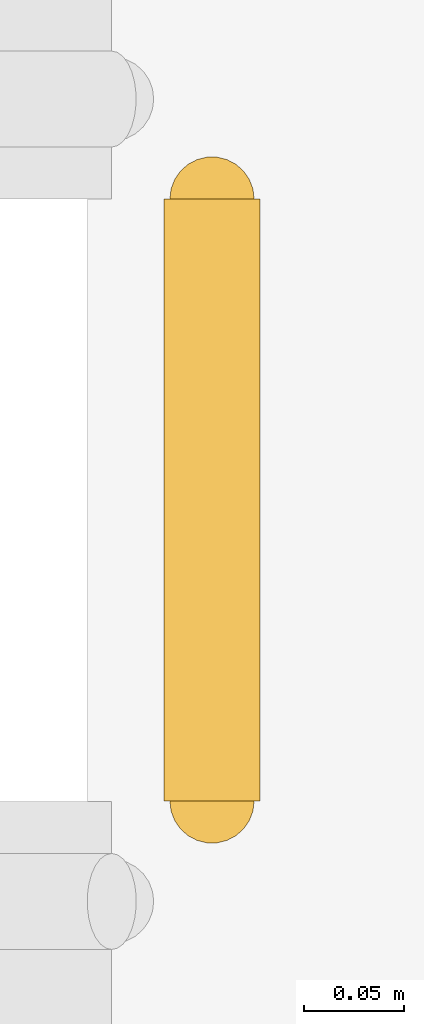
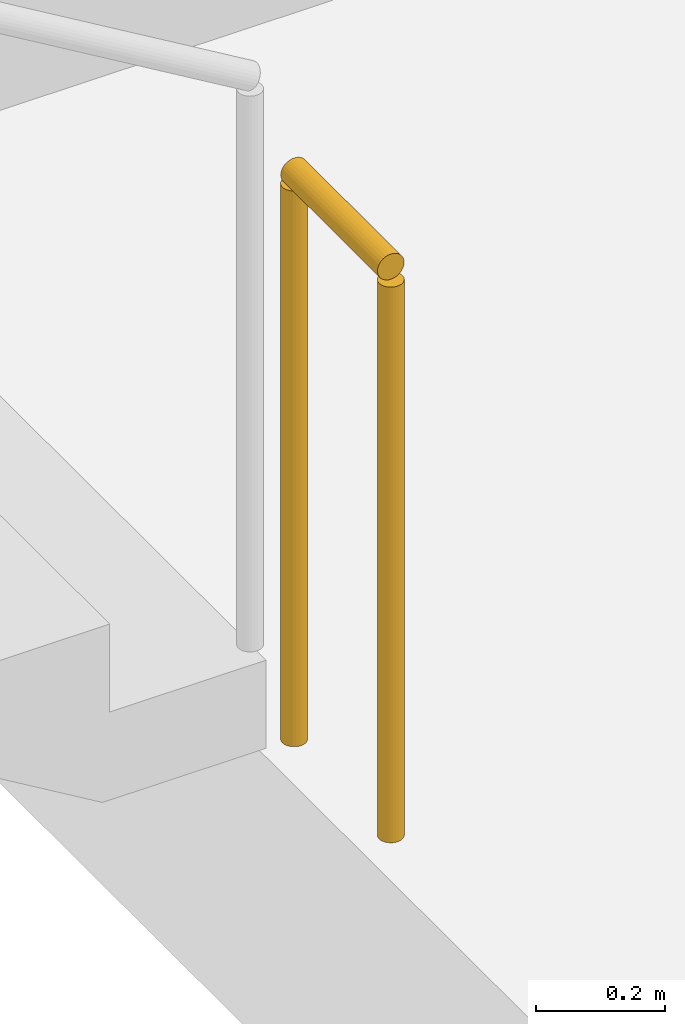
# One storey, part 52 of 54: 1 railing.
"""IFC4 building model written with IfcOpenShell, lengths in metres."""

from ifc_helpers import new_model, si_unit, direction, frame, origin, origin_2d, place, context, subcontext, project, spatial, circle, extrude, material, type_object, element, save


model = new_model("IFC4")

# Units and contexts
model_context = context("Model", 3, precision=1e-05, world=origin(), true_north=direction((0.0, 1.0)))
body_context = subcontext(model_context, "Body", "Model", "MODEL_VIEW")
ifc_project = project(units=[si_unit("LENGTHUNIT", "METRE"), si_unit("AREAUNIT", "SQUARE_METRE"), si_unit("VOLUMEUNIT", "CUBIC_METRE"), si_unit("PLANEANGLEUNIT", "RADIAN"), si_unit("MASSUNIT", "GRAM", prefix="KILO")], contexts=[model_context])

# Site, building, storey
site_placement = place(None, origin())
site = spatial("IfcSite", under=ifc_project, at=site_placement, CompositionType="ELEMENT")
building_placement = place(site_placement, origin())
building = spatial("IfcBuilding", under=site, at=building_placement, Name="Tamarind Cross Interchange Tower", CompositionType="ELEMENT")
storey_placement = place(building_placement, origin())
storey = spatial("IfcBuildingStorey", under=building, at=storey_placement, Name="L00", CompositionType="ELEMENT", Elevation=0.0)

# Railing
ifc_material = material(Name="Public stair guard")
railing_type = type_object("IfcRailingType", Name="Public stair guard", PredefinedType="GUARDRAIL", material=ifc_material)
railing_placement = place(storey_placement, frame((61.25, 44.60009765625, 0.0)))
element("IfcRailing", 1, at=railing_placement, inside=storey, type_object=railing_type, Name="L00 XS-P02 stair guard 4", PredefinedType="GUARDRAIL", context=body_context, shape_type="SweptSolid", body=[
    extrude(circle(Radius=0.02392578125, at=origin_2d()), frame((0.0, 0.0, 1.076171875), z_axis=(0.0, -1.0, 0.0), x_axis=(1.0, 0.0, 0.0)), (0.0, 0.0, 1.0), 0.300048828125),
    extrude(circle(Radius=0.02099609375, at=origin_2d()), origin(), (0.0, 0.0, 1.0), 1.052001953125),
    extrude(circle(Radius=0.02099609375, at=origin_2d()), frame((0.0, -0.300048828125, 0.0)), (0.0, 0.0, 1.0), 1.052001953125),
])

save(model, "model.ifc")
